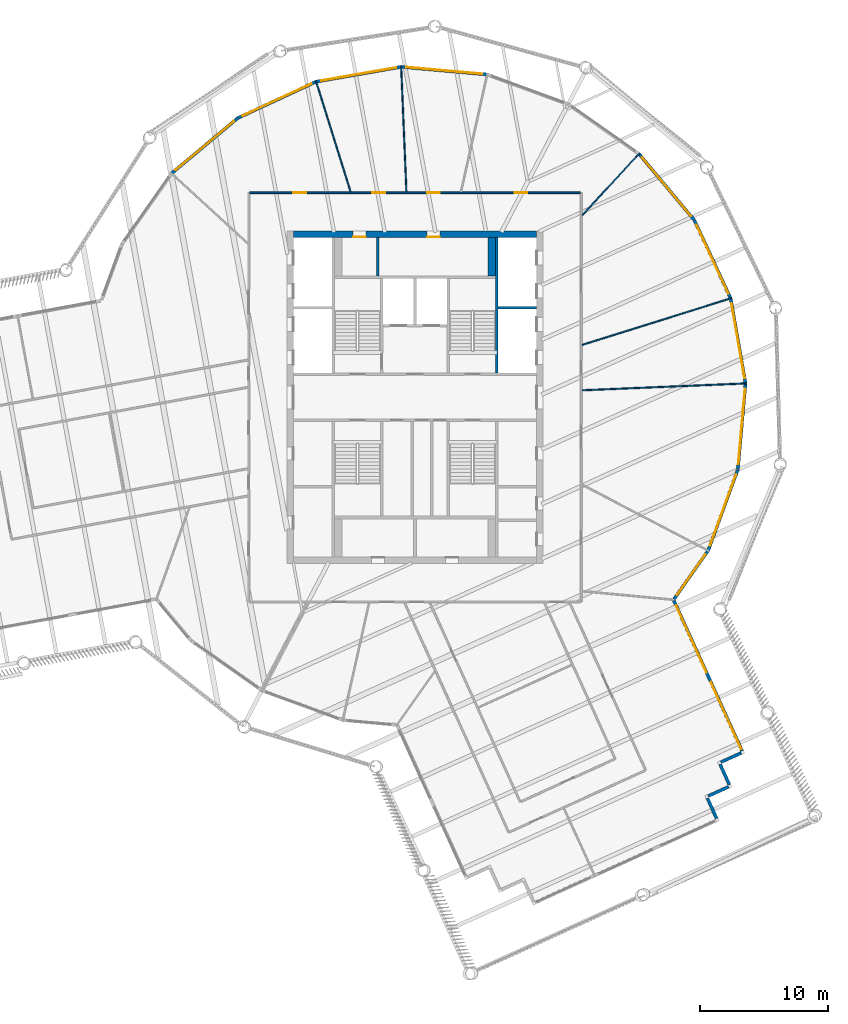
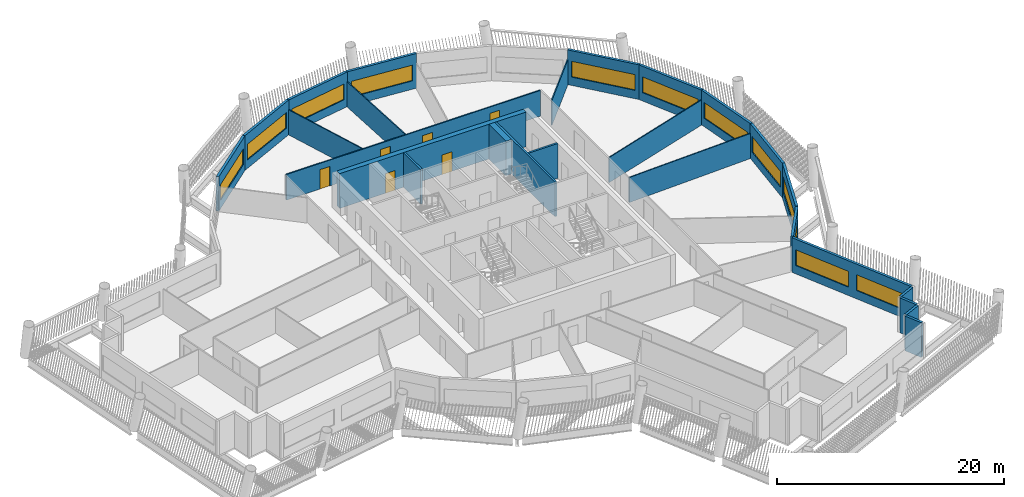
# One storey, part 6 of 15: 26 walls, 12 windows, 6 doors, 18 openings.
"""IFC4 building model written with IfcOpenShell, lengths in metres."""

from ifc_helpers import new_model, si_unit, direction, frame, frame_2d, origin, place, context, subcontext, project, spatial, rectangle, extrude, material, layer, layer_set, type_object, element, fill, save


model = new_model("IFC4")

# Units and contexts
model_context = context("Model", 3, precision=1e-05, world=origin(), true_north=direction((0.0, 1.0)))
body_context = subcontext(model_context, "Body", "Model", "MODEL_VIEW")
ifc_project = project(units=[si_unit("LENGTHUNIT", "METRE"), si_unit("AREAUNIT", "SQUARE_METRE"), si_unit("VOLUMEUNIT", "CUBIC_METRE"), si_unit("PLANEANGLEUNIT", "RADIAN"), si_unit("MASSUNIT", "GRAM", prefix="KILO")], contexts=[model_context])

# Site, building, storey
site_placement = place(None, origin())
site = spatial("IfcSite", under=ifc_project, at=site_placement, CompositionType="ELEMENT")
building_placement = place(site_placement, origin())
building = spatial("IfcBuilding", under=site, at=building_placement, Name="Tarsis Ring Headquarters", CompositionType="ELEMENT")
storey_placement = place(building_placement, frame((0.0, 0.0, 327.5)))
storey = spatial("IfcBuildingStorey", under=building, at=storey_placement, Name="L77", CompositionType="ELEMENT", Elevation=327.5)

# Wall
ifc_material_1 = material(Name="Blockwork", Category="masonry")
ifc_layer_1 = layer(ifc_material_1, 0.199951171875)
ifc_layer_set_1 = layer_set([ifc_layer_1], Name="Core blockwork wall 200")
wall_type_1 = type_object("IfcWallType", Name="Core blockwork wall 200", PredefinedType="PARTITIONING", material=ifc_layer_set_1)
wall_1_placement = place(storey_placement, frame((-2.89990234375, 9.5, 0.0), z_axis=(0.0, 0.0, 1.0), x_axis=(0.0, 1.0, 0.0)))
element("IfcWall", 1, at=wall_1_placement, inside=storey, type_object=wall_type_1, Name="Core partition ND1", PredefinedType="PARTITIONING", context=body_context, shape_type="SweptSolid", body=[
    extrude(rectangle(XDim=3.0, YDim=0.199951171875, at=frame_2d((1.5, 0.0))), origin(), (0.0, 0.0, 1.0), 3.739990234375),
])

# Wall, openings, doors
ifc_material_2 = material(Name="Concrete C50/60", Category="concrete")
ifc_layer_2 = layer(ifc_material_2, 0.5)
ifc_layer_set_2 = layer_set([ifc_layer_2], Name="Core wall 500 C50/60")
wall_type_2 = type_object("IfcWallType", Name="Core wall 500 C50/60", PredefinedType="SHEAR", material=ifc_layer_set_2)
wall_2_placement = place(storey_placement, frame((-9.5, 12.75, 0.0), z_axis=(0.0, 0.0, 1.0), x_axis=(1.0, 0.0, 0.0)))
wall_2 = element("IfcWall", 2, at=wall_2_placement, inside=storey, type_object=wall_type_2, Name="Core wall ON", PredefinedType="SHEAR", context=body_context, shape_type="SweptSolid", body=[
    extrude(rectangle(XDim=19.0, YDim=0.5, at=frame_2d((9.5, 0.0))), origin(), (0.0, 0.0, 1.0), 3.739990234375),
])
opening_1_placement = place(wall_2_placement, frame((4.64990234375, 0.0, 0.0)))
opening_1 = element("IfcOpeningElement", 3, at=opening_1_placement, cuts=wall_2, Name="Opening L77-C16", PredefinedType="OPENING", context=body_context, shape_type="SweptSolid", body=[
    extrude(rectangle(XDim=1.0, YDim=2.10009765625, at=frame_2d((0.5, 1.050048828125))), frame((0.0, 0.260009765625, 0.0), z_axis=(0.0, -1.0, 0.0), x_axis=(1.0, 0.0, 0.0)), (0.0, 0.0, 1.0), 0.52001953125),
])
opening_2_placement = place(wall_2_placement, frame((10.449951171875, 0.0, 0.0)))
opening_2 = element("IfcOpeningElement", 4, at=opening_2_placement, cuts=wall_2, Name="Opening L77-C17", PredefinedType="OPENING", context=body_context, shape_type="SweptSolid", body=[
    extrude(rectangle(XDim=1.0, YDim=2.10009765625, at=frame_2d((0.5, 1.050048828125))), frame((0.0, 0.260009765625, 0.0), z_axis=(0.0, -1.0, 0.0), x_axis=(1.0, 0.0, 0.0)), (0.0, 0.0, 1.0), 0.52001953125),
])
ifc_material_3 = material(Name="Steel S355", Category="steel")
door_type_1 = type_object("IfcDoorType", Name="Core room door 1000x2100", OperationType="SINGLE_SWING_LEFT", PredefinedType="DOOR", material=ifc_material_3)
door_1_placement = place(opening_1_placement, origin())
door_1 = element("IfcDoor", 5, at=door_1_placement, inside=storey, type_object=door_type_1, Name="Core room door L77", OperationType="SINGLE_SWING_LEFT", OverallHeight=2.10009765625, OverallWidth=1.0, PredefinedType="DOOR", context=body_context, shape_type="SweptSolid", body=[
    extrude(rectangle(XDim=1.0, YDim=2.10009765625, at=frame_2d((0.5, 1.050048828125))), frame((0.0, -0.2001953125, 0.0), z_axis=(0.0, -1.0, 0.0), x_axis=(1.0, 0.0, 0.0)), (0.0, 0.0, 1.0), 0.050048828125),
])
fill(opening_1, door_1)
door_2_placement = place(opening_2_placement, origin())
door_2 = element("IfcDoor", 6, at=door_2_placement, inside=storey, type_object=door_type_1, Name="Core room door L77", OperationType="SINGLE_SWING_LEFT", OverallHeight=2.10009765625, OverallWidth=1.0, PredefinedType="DOOR", context=body_context, shape_type="SweptSolid", body=[
    extrude(rectangle(XDim=1.0, YDim=2.10009765625, at=frame_2d((0.5, 1.050048828125))), frame((0.0, -0.2001953125, 0.0), z_axis=(0.0, -1.0, 0.0), x_axis=(1.0, 0.0, 0.0)), (0.0, 0.0, 1.0), 0.050048828125),
])
fill(opening_2, door_2)

# Walls
ifc_material_4 = material(Name="Gypsum board on steel studs", Category="steel")
ifc_layer_3 = layer(ifc_material_4, 0.10009765625)
ifc_layer_set_3 = layer_set([ifc_layer_3], Name="FL partition 100 unrated")
wall_type_3 = type_object("IfcWallType", Name="FL partition 100 unrated", PredefinedType="PARTITIONING", material=ifc_layer_set_3)
wall_3_placement = place(storey_placement, frame((13.06982421875, 0.5478515625, 0.0), z_axis=(0.0, 0.0, 1.0), x_axis=(0.999122749416, 0.041877578729, 0.0)))
element("IfcWall", 7, at=wall_3_placement, inside=storey, type_object=wall_type_3, Name="Partition PW3", PredefinedType="PARTITIONING", context=body_context, shape_type="SweptSolid", body=[
    extrude(rectangle(XDim=12.866455078125, YDim=0.10009765625, at=frame_2d((6.43310546875, 0.0))), origin(), (0.0, 0.0, 1.0), 2.699951171875),
])
wall_4_placement = place(storey_placement, frame((13.06689453125, 4.094970703125, 0.0), z_axis=(0.0, 0.0, 1.0), x_axis=(0.954240385089, 0.299040611733, 0.0)))
element("IfcWall", 8, at=wall_4_placement, inside=storey, type_object=wall_type_3, Name="Partition PW3", PredefinedType="PARTITIONING", context=body_context, shape_type="SweptSolid", body=[
    extrude(rectangle(XDim=12.25439453125, YDim=0.10009765625, at=frame_2d((6.127197265625, 0.0))), origin(), (0.0, 0.0, 1.0), 2.699951171875),
])
wall_5_placement = place(storey_placement, frame((-1.086669921875, 25.925048828125, 0.0), z_axis=(0.0, 0.0, 1.0), x_axis=(0.041878653746, -0.999122704356, 0.0)))
element("IfcWall", 9, at=wall_5_placement, inside=storey, type_object=wall_type_3, Name="Partition PW3", PredefinedType="PARTITIONING", context=body_context, shape_type="SweptSolid", body=[
    extrude(rectangle(XDim=9.86376953125, YDim=0.10009765625, at=frame_2d((4.931884765625, 0.0))), origin(), (0.0, 0.0, 1.0), 2.699951171875),
])
wall_6_placement = place(storey_placement, frame((-7.759521484375, 24.760498046875, 0.0), z_axis=(0.0, 0.0, 1.0), x_axis=(0.29906069932, -0.954234089793, 0.0)))
element("IfcWall", 10, at=wall_6_placement, inside=storey, type_object=wall_type_3, Name="Partition PW3", PredefinedType="PARTITIONING", context=body_context, shape_type="SweptSolid", body=[
    extrude(rectangle(XDim=9.110595703125, YDim=0.10009765625, at=frame_2d((4.55517578125, 0.0))), origin(), (0.0, 0.0, 1.0), 2.699951171875),
])
wall_7_placement = place(storey_placement, frame((13.087890625, 14.233154296875, 0.0), z_axis=(0.0, 0.0, 1.0), x_axis=(0.67689253135, 0.736081857542, 0.0)))
element("IfcWall", 11, at=wall_7_placement, inside=storey, type_object=wall_type_3, Name="Partition PW3", PredefinedType="PARTITIONING", context=body_context, shape_type="SweptSolid", body=[
    extrude(rectangle(XDim=6.612060546875, YDim=0.10009765625, at=frame_2d((3.30615234375, 0.0))), origin(), (0.0, 0.0, 1.0), 2.699951171875),
])

# Wall, openings, doors
ifc_layer_4 = layer(ifc_material_4, 0.125)
ifc_layer_set_4 = layer_set([ifc_layer_4], Name="FL partition 125 EI 60 H2770")
wall_type_4 = type_object("IfcWallType", Name="FL partition 125 EI 60 H2770", PredefinedType="PARTITIONING", material=ifc_layer_set_4)
wall_8_placement = place(storey_placement, frame((-12.93994140625, 16.0, 0.0), z_axis=(0.0, 0.0, 1.0), x_axis=(1.0, 0.0, 0.0)))
wall_8 = element("IfcWall", 12, at=wall_8_placement, inside=storey, type_object=wall_type_4, Name="Partition PW1", PredefinedType="PARTITIONING", context=body_context, shape_type="SweptSolid", body=[
    extrude(rectangle(XDim=25.8798828125, YDim=0.125, at=frame_2d((12.93994140625, 0.0))), origin(), (0.0, 0.0, 1.0), 2.77001953125),
])
opening_3_placement = place(wall_8_placement, frame((3.43310546875, 0.0, 0.0)))
opening_3 = element("IfcOpeningElement", 13, at=opening_3_placement, cuts=wall_8, Name="Opening D77.04", PredefinedType="OPENING", context=body_context, shape_type="SweptSolid", body=[
    extrude(rectangle(XDim=1.0, YDim=2.10009765625, at=frame_2d((0.5, 1.050048828125))), frame((0.0, 0.072509765625, 0.0), z_axis=(0.0, -1.0, 0.0), x_axis=(1.0, 0.0, 0.0)), (0.0, 0.0, 1.0), 0.14501953125),
])
opening_4_placement = place(wall_8_placement, frame((9.59765625, 0.0, 0.0)))
opening_4 = element("IfcOpeningElement", 14, at=opening_4_placement, cuts=wall_8, Name="Opening D77.05", PredefinedType="OPENING", context=body_context, shape_type="SweptSolid", body=[
    extrude(rectangle(XDim=1.0, YDim=2.10009765625, at=frame_2d((0.5, 1.050048828125))), frame((0.0, 0.072509765625, 0.0), z_axis=(0.0, -1.0, 0.0), x_axis=(1.0, 0.0, 0.0)), (0.0, 0.0, 1.0), 0.14501953125),
])
opening_5_placement = place(wall_8_placement, frame((13.892822265625, 0.0, 0.0)))
opening_5 = element("IfcOpeningElement", 15, at=opening_5_placement, cuts=wall_8, Name="Opening D77.06", PredefinedType="OPENING", context=body_context, shape_type="SweptSolid", body=[
    extrude(rectangle(XDim=1.0, YDim=2.10009765625, at=frame_2d((0.5, 1.050048828125))), frame((0.0, 0.072509765625, 0.0), z_axis=(0.0, -1.0, 0.0), x_axis=(1.0, 0.0, 0.0)), (0.0, 0.0, 1.0), 0.14501953125),
])
opening_6_placement = place(wall_8_placement, frame((20.728271484375, 0.0, 0.0)))
opening_6 = element("IfcOpeningElement", 16, at=opening_6_placement, cuts=wall_8, Name="Opening D77.07", PredefinedType="OPENING", context=body_context, shape_type="SweptSolid", body=[
    extrude(rectangle(XDim=1.0, YDim=2.10009765625, at=frame_2d((0.5, 1.050048828125))), frame((0.0, 0.072509765625, 0.0), z_axis=(0.0, -1.0, 0.0), x_axis=(1.0, 0.0, 0.0)), (0.0, 0.0, 1.0), 0.14501953125),
])
ifc_material_5 = material(Name="Fire-rated timber door leaf in steel frame", Category="steel")
door_type_2 = type_object("IfcDoorType", Name="FL door FD60-1000", OperationType="NOTDEFINED", PredefinedType="DOOR", material=ifc_material_5)
door_3_placement = place(opening_3_placement, origin())
door_3 = element("IfcDoor", 17, at=door_3_placement, inside=storey, type_object=door_type_2, Name="Door D77.04", OperationType="SINGLE_SWING_LEFT", OverallHeight=2.10009765625, OverallWidth=1.0, PredefinedType="DOOR", context=body_context, shape_type="SweptSolid", body=[
    extrude(rectangle(XDim=1.0, YDim=2.10009765625, at=frame_2d((0.5, 1.050048828125))), frame((0.0, 0.02490234375, 0.0), z_axis=(0.0, -1.0, 0.0), x_axis=(1.0, 0.0, 0.0)), (0.0, 0.0, 1.0), 0.050048828125),
])
fill(opening_3, door_3)
door_4_placement = place(opening_4_placement, origin())
door_4 = element("IfcDoor", 18, at=door_4_placement, inside=storey, type_object=door_type_2, Name="Door D77.05", OperationType="SINGLE_SWING_RIGHT", OverallHeight=2.10009765625, OverallWidth=1.0, PredefinedType="DOOR", context=body_context, shape_type="SweptSolid", body=[
    extrude(rectangle(XDim=1.0, YDim=2.10009765625, at=frame_2d((0.5, 1.050048828125))), frame((0.0, 0.02490234375, 0.0), z_axis=(0.0, -1.0, 0.0), x_axis=(1.0, 0.0, 0.0)), (0.0, 0.0, 1.0), 0.050048828125),
])
fill(opening_4, door_4)
door_5_placement = place(opening_5_placement, origin())
door_5 = element("IfcDoor", 19, at=door_5_placement, inside=storey, type_object=door_type_2, Name="Door D77.06", OperationType="SINGLE_SWING_LEFT", OverallHeight=2.10009765625, OverallWidth=1.0, PredefinedType="DOOR", context=body_context, shape_type="SweptSolid", body=[
    extrude(rectangle(XDim=1.0, YDim=2.10009765625, at=frame_2d((0.5, 1.050048828125))), frame((0.0, 0.02490234375, 0.0), z_axis=(0.0, -1.0, 0.0), x_axis=(1.0, 0.0, 0.0)), (0.0, 0.0, 1.0), 0.050048828125),
])
fill(opening_5, door_5)
door_6_placement = place(opening_6_placement, origin())
door_6 = element("IfcDoor", 20, at=door_6_placement, inside=storey, type_object=door_type_2, Name="Door D77.07", OperationType="SINGLE_SWING_RIGHT", OverallHeight=2.10009765625, OverallWidth=1.0, PredefinedType="DOOR", context=body_context, shape_type="SweptSolid", body=[
    extrude(rectangle(XDim=1.0, YDim=2.10009765625, at=frame_2d((0.5, 1.050048828125))), frame((0.0, 0.02490234375, 0.0), z_axis=(0.0, -1.0, 0.0), x_axis=(1.0, 0.0, 0.0)), (0.0, 0.0, 1.0), 0.050048828125),
])
fill(opening_6, door_6)

# Walls
ifc_material_6 = material(Name="Terracotta clad insulated panel wall", Category="masonry")
ifc_layer_5 = layer(ifc_material_6, 0.25)
ifc_layer_set_5 = layer_set([ifc_layer_5], Name="Facade wall terracotta panel 250")
wall_type_5 = type_object("IfcWallType", Name="Facade wall terracotta panel 250", PredefinedType="STANDARD", material=ifc_layer_set_5)
wall_9_placement = place(storey_placement, frame((23.592529296875, -32.946533203125, 0.0), z_axis=(0.0, 0.0, 1.0), x_axis=(-0.413077572358, 0.910695843416, 0.0)))
element("IfcWall", 21, at=wall_9_placement, inside=storey, type_object=wall_type_5, Name="External wall L77-12", PredefinedType="STANDARD", context=body_context, shape_type="SweptSolid", body=[
    extrude(rectangle(XDim=1.75, YDim=0.25, at=frame_2d((0.875, 0.0))), origin(), (0.0, 0.0, 1.0), 3.739990234375),
])
for number, where, z_axis, x_axis, name in (
    (22, (22.931884765625, -31.187255859375, 0.0), (0.0, 0.0, 1.0), (0.910672034522, 0.413130058866, 0.0), "External wall L77-13"),
    (23, (24.587646484375, -30.298828125, 0.0), (0.0, 0.0, 1.0), (-0.413130058866, 0.910672034522, 0.0), "External wall L77-14"),
):
    element("IfcWall", number, at=place(storey_placement, frame(where, z_axis=z_axis, x_axis=x_axis)), inside=storey, type_object=wall_type_5, Name=name, PredefinedType="STANDARD", context=body_context, shape_type="SweptSolid", body=[
        extrude(rectangle(XDim=1.749755859375, YDim=0.25, at=frame_2d((0.875, 0.0))), origin(), (0.0, 0.0, 1.0), 3.739990234375),
    ])
wall_10_placement = place(storey_placement, frame((23.927001953125, -28.539794921875, 0.0), z_axis=(0.0, 0.0, 1.0), x_axis=(0.910695843416, 0.413077572358, 0.0)))
element("IfcWall", 24, at=wall_10_placement, inside=storey, type_object=wall_type_5, Name="External wall L77-15", PredefinedType="STANDARD", context=body_context, shape_type="SweptSolid", body=[
    extrude(rectangle(XDim=1.75, YDim=0.25, at=frame_2d((0.875, 0.0))), origin(), (0.0, 0.0, 1.0), 3.739990234375),
])

# Wall, openings, windows
wall_11_placement = place(storey_placement, frame((25.582763671875, -27.6513671875, 0.0), z_axis=(0.0, 0.0, 1.0), x_axis=(-0.413104201214, 0.910683764509, 0.0)))
wall_11 = element("IfcWall", 25, at=wall_11_placement, inside=storey, type_object=wall_type_5, Name="External wall L77-16", PredefinedType="STANDARD", context=body_context, shape_type="SweptSolid", body=[
    extrude(rectangle(XDim=12.9013671875, YDim=0.25, at=frame_2d((6.45068359375, 0.0))), origin(), (0.0, 0.0, 1.0), 3.739990234375),
])
opening_7_placement = place(wall_11_placement, frame((0.162841796875, 0.0, 0.89990234375)))
opening_7 = element("IfcOpeningElement", 26, at=opening_7_placement, cuts=wall_11, Name="Opening WN06", PredefinedType="OPENING", context=body_context, shape_type="SweptSolid", body=[
    extrude(rectangle(XDim=5.75, YDim=1.699951171875, at=frame_2d((2.875, 0.85009765625))), frame((0.0, 0.135009765625, 0.0), z_axis=(0.0, -1.0, 0.0), x_axis=(1.0, 0.0, 0.0)), (0.0, 0.0, 1.0), 0.27001953125),
])
opening_8_placement = place(wall_11_placement, frame((6.738525390625, 0.0, 0.89990234375)))
opening_8 = element("IfcOpeningElement", 27, at=opening_8_placement, cuts=wall_11, Name="Opening WN06", PredefinedType="OPENING", context=body_context, shape_type="SweptSolid", body=[
    extrude(rectangle(XDim=5.75, YDim=1.699951171875, at=frame_2d((2.875, 0.85009765625))), frame((0.0, 0.135009765625, 0.0), z_axis=(0.0, -1.0, 0.0), x_axis=(1.0, 0.0, 0.0)), (0.0, 0.0, 1.0), 0.27001953125),
])
ifc_material_7 = material(Name="Aluminium framed double glazing", Category="aluminium")
window_type_1 = type_object("IfcWindowType", Name="Facade window 5750 x 1700", PartitioningType="SINGLE_PANEL", PredefinedType="WINDOW", material=ifc_material_7)
window_1_placement = place(opening_7_placement, origin())
window_1 = element("IfcWindow", 28, at=window_1_placement, inside=storey, type_object=window_type_1, Name="Window L77-16.1", OverallHeight=1.699951171875, OverallWidth=5.75, PartitioningType="SINGLE_PANEL", PredefinedType="WINDOW", context=body_context, shape_type="SweptSolid", body=[
    extrude(rectangle(XDim=5.75, YDim=1.699951171875, at=frame_2d((2.875, 0.85009765625))), frame((0.0, 0.030029296875, 0.0), z_axis=(0.0, -1.0, 0.0), x_axis=(1.0, 0.0, 0.0)), (0.0, 0.0, 1.0), 0.06005859375),
])
fill(opening_7, window_1)
window_2_placement = place(opening_8_placement, origin())
window_2 = element("IfcWindow", 29, at=window_2_placement, inside=storey, type_object=window_type_1, Name="Window L77-16.2", OverallHeight=1.699951171875, OverallWidth=5.75, PartitioningType="SINGLE_PANEL", PredefinedType="WINDOW", context=body_context, shape_type="SweptSolid", body=[
    extrude(rectangle(XDim=5.75, YDim=1.699951171875, at=frame_2d((2.875, 0.85009765625))), frame((0.0, 0.030029296875, 0.0), z_axis=(0.0, -1.0, 0.0), x_axis=(1.0, 0.0, 0.0)), (0.0, 0.0, 1.0), 0.06005859375),
])
fill(opening_8, window_2)

# Wall, opening, window
wall_12_placement = place(storey_placement, frame((20.264892578125, -15.77880859375, 0.0), z_axis=(0.0, 0.0, 1.0), x_axis=(0.575004821715, 0.818150019864, 0.0)))
wall_12 = element("IfcWall", 30, at=wall_12_placement, inside=storey, type_object=wall_type_5, Name="External wall L77-17", PredefinedType="STANDARD", context=body_context, shape_type="SweptSolid", body=[
    extrude(rectangle(XDim=4.617919921875, YDim=0.25, at=frame_2d((2.30908203125, 0.0))), origin(), (0.0, 0.0, 1.0), 3.739990234375),
])
opening_9_placement = place(wall_12_placement, frame((0.400390625, 0.0, 0.89990234375)))
opening_9 = element("IfcOpeningElement", 31, at=opening_9_placement, cuts=wall_12, Name="Opening WN02", PredefinedType="OPENING", context=body_context, shape_type="SweptSolid", body=[
    extrude(rectangle(XDim=3.85009765625, YDim=1.699951171875, at=frame_2d((1.925048828125, 0.85009765625))), frame((0.0, 0.135009765625, 0.0), z_axis=(0.0, -1.0, 0.0), x_axis=(1.0, 0.0, 0.0)), (0.0, 0.0, 1.0), 0.27001953125),
])
window_type_2 = type_object("IfcWindowType", Name="Facade window 3850 x 1700", PartitioningType="SINGLE_PANEL", PredefinedType="WINDOW", material=ifc_material_7)
window_3_placement = place(opening_9_placement, origin())
window_3 = element("IfcWindow", 32, at=window_3_placement, inside=storey, type_object=window_type_2, Name="Window L77-17.1", OverallHeight=1.699951171875, OverallWidth=3.85009765625, PartitioningType="SINGLE_PANEL", PredefinedType="WINDOW", context=body_context, shape_type="SweptSolid", body=[
    extrude(rectangle(XDim=3.85009765625, YDim=1.699951171875, at=frame_2d((1.925048828125, 0.85009765625))), frame((0.0, 0.030029296875, 0.0), z_axis=(0.0, -1.0, 0.0), x_axis=(1.0, 0.0, 0.0)), (0.0, 0.0, 1.0), 0.06005859375),
])
fill(opening_9, window_3)

wall_13_placement = place(storey_placement, frame((22.935302734375, -11.971923828125, 0.0), z_axis=(0.0, 0.0, 1.0), x_axis=(0.343640910875, 0.939101125744, 0.0)))
wall_13 = element("IfcWall", 33, at=wall_13_placement, inside=storey, type_object=wall_type_5, Name="External wall L77-18", PredefinedType="STANDARD", context=body_context, shape_type="SweptSolid", body=[
    extrude(rectangle(XDim=6.7216796875, YDim=0.25, at=frame_2d((3.36083984375, 0.0))), origin(), (0.0, 0.0, 1.0), 3.739990234375),
])
opening_10_placement = place(wall_13_placement, frame((0.3857421875, 0.0, 0.89990234375)))
opening_10 = element("IfcOpeningElement", 34, at=opening_10_placement, cuts=wall_13, Name="Opening WN07", PredefinedType="OPENING", context=body_context, shape_type="SweptSolid", body=[
    extrude(rectangle(XDim=5.949951171875, YDim=1.699951171875, at=frame_2d((2.97509765625, 0.85009765625))), frame((0.0, 0.135009765625, 0.0), z_axis=(0.0, -1.0, 0.0), x_axis=(1.0, 0.0, 0.0)), (0.0, 0.0, 1.0), 0.27001953125),
])
window_type_3 = type_object("IfcWindowType", Name="Facade window 5950 x 1700", PartitioningType="SINGLE_PANEL", PredefinedType="WINDOW", material=ifc_material_7)
window_4_placement = place(opening_10_placement, origin())
window_4 = element("IfcWindow", 35, at=window_4_placement, inside=storey, type_object=window_type_3, Name="Window L77-18.1", OverallHeight=1.699951171875, OverallWidth=5.949951171875, PartitioningType="SINGLE_PANEL", PredefinedType="WINDOW", context=body_context, shape_type="SweptSolid", body=[
    extrude(rectangle(XDim=5.949951171875, YDim=1.699951171875, at=frame_2d((2.97509765625, 0.85009765625))), frame((0.0, 0.030029296875, 0.0), z_axis=(0.0, -1.0, 0.0), x_axis=(1.0, 0.0, 0.0)), (0.0, 0.0, 1.0), 0.06005859375),
])
fill(opening_10, window_4)

wall_14_placement = place(storey_placement, frame((25.252197265625, -5.6279296875, 0.0), z_axis=(0.0, 0.0, 1.0), x_axis=(0.088914564402, 0.996039256374, 0.0)))
wall_14 = element("IfcWall", 36, at=wall_14_placement, inside=storey, type_object=wall_type_5, Name="External wall L77-19", PredefinedType="STANDARD", context=body_context, shape_type="SweptSolid", body=[
    extrude(rectangle(XDim=6.7216796875, YDim=0.25, at=frame_2d((3.36083984375, 0.0))), origin(), (0.0, 0.0, 1.0), 3.739990234375),
])
opening_11_placement = place(wall_14_placement, frame((0.3857421875, 0.0, 0.89990234375)))
opening_11 = element("IfcOpeningElement", 37, at=opening_11_placement, cuts=wall_14, Name="Opening WN07", PredefinedType="OPENING", context=body_context, shape_type="SweptSolid", body=[
    extrude(rectangle(XDim=5.949951171875, YDim=1.699951171875, at=frame_2d((2.97509765625, 0.85009765625))), frame((0.0, 0.135009765625, 0.0), z_axis=(0.0, -1.0, 0.0), x_axis=(1.0, 0.0, 0.0)), (0.0, 0.0, 1.0), 0.27001953125),
])
window_5_placement = place(opening_11_placement, origin())
window_5 = element("IfcWindow", 38, at=window_5_placement, inside=storey, type_object=window_type_3, Name="Window L77-19.1", OverallHeight=1.699951171875, OverallWidth=5.949951171875, PartitioningType="SINGLE_PANEL", PredefinedType="WINDOW", context=body_context, shape_type="SweptSolid", body=[
    extrude(rectangle(XDim=5.949951171875, YDim=1.699951171875, at=frame_2d((2.97509765625, 0.85009765625))), frame((0.0, 0.030029296875, 0.0), z_axis=(0.0, -1.0, 0.0), x_axis=(1.0, 0.0, 0.0)), (0.0, 0.0, 1.0), 0.06005859375),
])
fill(opening_11, window_5)

wall_15_placement = place(storey_placement, frame((25.848388671875, 1.099609375, 0.0), z_axis=(0.0, 0.0, 1.0), x_axis=(-0.171909828159, 0.985112689484, 0.0)))
wall_15 = element("IfcWall", 39, at=wall_15_placement, inside=storey, type_object=wall_type_5, Name="External wall L77-20", PredefinedType="STANDARD", context=body_context, shape_type="SweptSolid", body=[
    extrude(rectangle(XDim=6.7216796875, YDim=0.25, at=frame_2d((3.36083984375, 0.0))), origin(), (0.0, 0.0, 1.0), 3.739990234375),
])
opening_12_placement = place(wall_15_placement, frame((0.3857421875, 0.0, 0.89990234375)))
opening_12 = element("IfcOpeningElement", 40, at=opening_12_placement, cuts=wall_15, Name="Opening WN07", PredefinedType="OPENING", context=body_context, shape_type="SweptSolid", body=[
    extrude(rectangle(XDim=5.949951171875, YDim=1.699951171875, at=frame_2d((2.97509765625, 0.85009765625))), frame((0.0, 0.135009765625, 0.0), z_axis=(0.0, -1.0, 0.0), x_axis=(1.0, 0.0, 0.0)), (0.0, 0.0, 1.0), 0.27001953125),
])
window_6_placement = place(opening_12_placement, origin())
window_6 = element("IfcWindow", 41, at=window_6_placement, inside=storey, type_object=window_type_3, Name="Window L77-20.1", OverallHeight=1.699951171875, OverallWidth=5.949951171875, PartitioningType="SINGLE_PANEL", PredefinedType="WINDOW", context=body_context, shape_type="SweptSolid", body=[
    extrude(rectangle(XDim=5.949951171875, YDim=1.699951171875, at=frame_2d((2.97509765625, 0.85009765625))), frame((0.0, 0.030029296875, 0.0), z_axis=(0.0, -1.0, 0.0), x_axis=(1.0, 0.0, 0.0)), (0.0, 0.0, 1.0), 0.06005859375),
])
fill(opening_12, window_6)

wall_16_placement = place(storey_placement, frame((24.68310546875, 7.752197265625, 0.0), z_axis=(0.0, 0.0, 1.0), x_axis=(-0.421033403338, 0.907045132986, 0.0)))
wall_16 = element("IfcWall", 42, at=wall_16_placement, inside=storey, type_object=wall_type_5, Name="External wall L77-21", PredefinedType="STANDARD", context=body_context, shape_type="SweptSolid", body=[
    extrude(rectangle(XDim=6.7216796875, YDim=0.25, at=frame_2d((3.36083984375, 0.0))), origin(), (0.0, 0.0, 1.0), 3.739990234375),
])
opening_13_placement = place(wall_16_placement, frame((0.3857421875, 0.0, 0.89990234375)))
opening_13 = element("IfcOpeningElement", 43, at=opening_13_placement, cuts=wall_16, Name="Opening WN07", PredefinedType="OPENING", context=body_context, shape_type="SweptSolid", body=[
    extrude(rectangle(XDim=5.949951171875, YDim=1.699951171875, at=frame_2d((2.97509765625, 0.85009765625))), frame((0.0, 0.135009765625, 0.0), z_axis=(0.0, -1.0, 0.0), x_axis=(1.0, 0.0, 0.0)), (0.0, 0.0, 1.0), 0.27001953125),
])
window_7_placement = place(opening_13_placement, origin())
window_7 = element("IfcWindow", 44, at=window_7_placement, inside=storey, type_object=window_type_3, Name="Window L77-21.1", OverallHeight=1.699951171875, OverallWidth=5.949951171875, PartitioningType="SINGLE_PANEL", PredefinedType="WINDOW", context=body_context, shape_type="SweptSolid", body=[
    extrude(rectangle(XDim=5.949951171875, YDim=1.699951171875, at=frame_2d((2.97509765625, 0.85009765625))), frame((0.0, 0.030029296875, 0.0), z_axis=(0.0, -1.0, 0.0), x_axis=(1.0, 0.0, 0.0)), (0.0, 0.0, 1.0), 0.06005859375),
])
fill(opening_13, window_7)

wall_17_placement = place(storey_placement, frame((21.83544921875, 13.87646484375, 0.0), z_axis=(0.0, 0.0, 1.0), x_axis=(-0.641433956666, 0.767178257797, 0.0)))
wall_17 = element("IfcWall", 45, at=wall_17_placement, inside=storey, type_object=wall_type_5, Name="External wall L77-22", PredefinedType="STANDARD", context=body_context, shape_type="SweptSolid", body=[
    extrude(rectangle(XDim=6.7216796875, YDim=0.25, at=frame_2d((3.36083984375, 0.0))), origin(), (0.0, 0.0, 1.0), 3.739990234375),
])
opening_14_placement = place(wall_17_placement, frame((0.3857421875, 0.0, 0.89990234375)))
opening_14 = element("IfcOpeningElement", 46, at=opening_14_placement, cuts=wall_17, Name="Opening WN07", PredefinedType="OPENING", context=body_context, shape_type="SweptSolid", body=[
    extrude(rectangle(XDim=5.949951171875, YDim=1.699951171875, at=frame_2d((2.97509765625, 0.85009765625))), frame((0.0, 0.135009765625, 0.0), z_axis=(0.0, -1.0, 0.0), x_axis=(1.0, 0.0, 0.0)), (0.0, 0.0, 1.0), 0.27001953125),
])
window_8_placement = place(opening_14_placement, origin())
window_8 = element("IfcWindow", 47, at=window_8_placement, inside=storey, type_object=window_type_3, Name="Window L77-22.1", OverallHeight=1.699951171875, OverallWidth=5.949951171875, PartitioningType="SINGLE_PANEL", PredefinedType="WINDOW", context=body_context, shape_type="SweptSolid", body=[
    extrude(rectangle(XDim=5.949951171875, YDim=1.699951171875, at=frame_2d((2.97509765625, 0.85009765625))), frame((0.0, 0.030029296875, 0.0), z_axis=(0.0, -1.0, 0.0), x_axis=(1.0, 0.0, 0.0)), (0.0, 0.0, 1.0), 0.06005859375),
])
fill(opening_14, window_8)

wall_18_placement = place(storey_placement, frame((5.6279296875, 25.252197265625, 0.0), z_axis=(0.0, 0.0, 1.0), x_axis=(-0.996039256374, 0.088914564402, 0.0)))
wall_18 = element("IfcWall", 48, at=wall_18_placement, inside=storey, type_object=wall_type_5, Name="External wall L77-25", PredefinedType="STANDARD", context=body_context, shape_type="SweptSolid", body=[
    extrude(rectangle(XDim=6.7216796875, YDim=0.25, at=frame_2d((3.36083984375, 0.0))), origin(), (0.0, 0.0, 1.0), 3.739990234375),
])
opening_15_placement = place(wall_18_placement, frame((0.3857421875, 0.0, 0.89990234375)))
opening_15 = element("IfcOpeningElement", 49, at=opening_15_placement, cuts=wall_18, Name="Opening WN07", PredefinedType="OPENING", context=body_context, shape_type="SweptSolid", body=[
    extrude(rectangle(XDim=5.949951171875, YDim=1.699951171875, at=frame_2d((2.97509765625, 0.85009765625))), frame((0.0, 0.135009765625, 0.0), z_axis=(0.0, -1.0, 0.0), x_axis=(1.0, 0.0, 0.0)), (0.0, 0.0, 1.0), 0.27001953125),
])
window_9_placement = place(opening_15_placement, origin())
window_9 = element("IfcWindow", 50, at=window_9_placement, inside=storey, type_object=window_type_3, Name="Window L77-25.1", OverallHeight=1.699951171875, OverallWidth=5.949951171875, PartitioningType="SINGLE_PANEL", PredefinedType="WINDOW", context=body_context, shape_type="SweptSolid", body=[
    extrude(rectangle(XDim=5.949951171875, YDim=1.699951171875, at=frame_2d((2.97509765625, 0.85009765625))), frame((0.0, 0.030029296875, 0.0), z_axis=(0.0, -1.0, 0.0), x_axis=(1.0, 0.0, 0.0)), (0.0, 0.0, 1.0), 0.06005859375),
])
fill(opening_15, window_9)

wall_19_placement = place(storey_placement, frame((-1.099609375, 25.848388671875, 0.0), z_axis=(0.0, 0.0, 1.0), x_axis=(-0.985112689484, -0.171909828159, 0.0)))
wall_19 = element("IfcWall", 51, at=wall_19_placement, inside=storey, type_object=wall_type_5, Name="External wall L77-26", PredefinedType="STANDARD", context=body_context, shape_type="SweptSolid", body=[
    extrude(rectangle(XDim=6.7216796875, YDim=0.25, at=frame_2d((3.36083984375, 0.0))), origin(), (0.0, 0.0, 1.0), 3.739990234375),
])
opening_16_placement = place(wall_19_placement, frame((0.3857421875, 0.0, 0.89990234375)))
opening_16 = element("IfcOpeningElement", 52, at=opening_16_placement, cuts=wall_19, Name="Opening WN07", PredefinedType="OPENING", context=body_context, shape_type="SweptSolid", body=[
    extrude(rectangle(XDim=5.949951171875, YDim=1.699951171875, at=frame_2d((2.97509765625, 0.85009765625))), frame((0.0, 0.135009765625, 0.0), z_axis=(0.0, -1.0, 0.0), x_axis=(1.0, 0.0, 0.0)), (0.0, 0.0, 1.0), 0.27001953125),
])
window_10_placement = place(opening_16_placement, origin())
window_10 = element("IfcWindow", 53, at=window_10_placement, inside=storey, type_object=window_type_3, Name="Window L77-26.1", OverallHeight=1.699951171875, OverallWidth=5.949951171875, PartitioningType="SINGLE_PANEL", PredefinedType="WINDOW", context=body_context, shape_type="SweptSolid", body=[
    extrude(rectangle(XDim=5.949951171875, YDim=1.699951171875, at=frame_2d((2.97509765625, 0.85009765625))), frame((0.0, 0.030029296875, 0.0), z_axis=(0.0, -1.0, 0.0), x_axis=(1.0, 0.0, 0.0)), (0.0, 0.0, 1.0), 0.06005859375),
])
fill(opening_16, window_10)

wall_20_placement = place(storey_placement, frame((-7.752197265625, 24.68310546875, 0.0), z_axis=(0.0, 0.0, 1.0), x_axis=(-0.907045132986, -0.421033403338, 0.0)))
wall_20 = element("IfcWall", 54, at=wall_20_placement, inside=storey, type_object=wall_type_5, Name="External wall L77-27", PredefinedType="STANDARD", context=body_context, shape_type="SweptSolid", body=[
    extrude(rectangle(XDim=6.7216796875, YDim=0.25, at=frame_2d((3.36083984375, 0.0))), origin(), (0.0, 0.0, 1.0), 3.739990234375),
])
opening_17_placement = place(wall_20_placement, frame((0.3857421875, 0.0, 0.89990234375)))
opening_17 = element("IfcOpeningElement", 55, at=opening_17_placement, cuts=wall_20, Name="Opening WN07", PredefinedType="OPENING", context=body_context, shape_type="SweptSolid", body=[
    extrude(rectangle(XDim=5.949951171875, YDim=1.699951171875, at=frame_2d((2.97509765625, 0.85009765625))), frame((0.0, 0.135009765625, 0.0), z_axis=(0.0, -1.0, 0.0), x_axis=(1.0, 0.0, 0.0)), (0.0, 0.0, 1.0), 0.27001953125),
])
window_11_placement = place(opening_17_placement, origin())
window_11 = element("IfcWindow", 56, at=window_11_placement, inside=storey, type_object=window_type_3, Name="Window L77-27.1", OverallHeight=1.699951171875, OverallWidth=5.949951171875, PartitioningType="SINGLE_PANEL", PredefinedType="WINDOW", context=body_context, shape_type="SweptSolid", body=[
    extrude(rectangle(XDim=5.949951171875, YDim=1.699951171875, at=frame_2d((2.97509765625, 0.85009765625))), frame((0.0, 0.030029296875, 0.0), z_axis=(0.0, -1.0, 0.0), x_axis=(1.0, 0.0, 0.0)), (0.0, 0.0, 1.0), 0.06005859375),
])
fill(opening_17, window_11)

wall_21_placement = place(storey_placement, frame((-13.87646484375, 21.83544921875, 0.0), z_axis=(0.0, 0.0, 1.0), x_axis=(-0.767178257797, -0.641433956666, 0.0)))
wall_21 = element("IfcWall", 57, at=wall_21_placement, inside=storey, type_object=wall_type_5, Name="External wall L77-28", PredefinedType="STANDARD", context=body_context, shape_type="SweptSolid", body=[
    extrude(rectangle(XDim=6.7216796875, YDim=0.25, at=frame_2d((3.36083984375, 0.0))), origin(), (0.0, 0.0, 1.0), 3.739990234375),
])
opening_18_placement = place(wall_21_placement, frame((0.3857421875, 0.0, 0.89990234375)))
opening_18 = element("IfcOpeningElement", 58, at=opening_18_placement, cuts=wall_21, Name="Opening WN07", PredefinedType="OPENING", context=body_context, shape_type="SweptSolid", body=[
    extrude(rectangle(XDim=5.949951171875, YDim=1.699951171875, at=frame_2d((2.97509765625, 0.85009765625))), frame((0.0, 0.135009765625, 0.0), z_axis=(0.0, -1.0, 0.0), x_axis=(1.0, 0.0, 0.0)), (0.0, 0.0, 1.0), 0.27001953125),
])
window_12_placement = place(opening_18_placement, origin())
window_12 = element("IfcWindow", 59, at=window_12_placement, inside=storey, type_object=window_type_3, Name="Window L77-28.1", OverallHeight=1.699951171875, OverallWidth=5.949951171875, PartitioningType="SINGLE_PANEL", PredefinedType="WINDOW", context=body_context, shape_type="SweptSolid", body=[
    extrude(rectangle(XDim=5.949951171875, YDim=1.699951171875, at=frame_2d((2.97509765625, 0.85009765625))), frame((0.0, 0.030029296875, 0.0), z_axis=(0.0, -1.0, 0.0), x_axis=(1.0, 0.0, 0.0)), (0.0, 0.0, 1.0), 0.06005859375),
])
fill(opening_18, window_12)

# Walls
ifc_material_8 = material(Name="Concrete C32/40", Category="concrete")
ifc_layer_6 = layer(ifc_material_8, 0.60009765625)
ifc_layer_set_6 = layer_set([ifc_layer_6], Name="Shaft end wall 600 C32/40")
wall_type_6 = type_object("IfcWallType", Name="Shaft end wall 600 C32/40", PredefinedType="SOLIDWALL", material=ifc_layer_set_6)
wall_22_placement = place(storey_placement, frame((6.0, 9.5, 0.0), z_axis=(0.0, 0.0, 1.0), x_axis=(0.0, 1.0, 0.0)))
element("IfcWall", 60, at=wall_22_placement, inside=storey, type_object=wall_type_6, Name="Core shaft wall NNE2", PredefinedType="SOLIDWALL", context=body_context, shape_type="SweptSolid", body=[
    extrude(rectangle(XDim=3.0, YDim=0.60009765625, at=frame_2d((1.5, 0.0))), origin(), (0.0, 0.0, 1.0), 3.739990234375),
])
ifc_layer_7 = layer(ifc_material_8, 0.199951171875)
ifc_layer_set_7 = layer_set([ifc_layer_7], Name="Shaft wall 200 C32/40")
wall_type_7 = type_object("IfcWallType", Name="Shaft wall 200 C32/40", PredefinedType="SOLIDWALL", material=ifc_layer_set_7)
wall_23_placement = place(storey_placement, frame((6.39990234375, 1.89990234375, 0.0), z_axis=(0.0, 0.0, 1.0), x_axis=(0.0, 1.0, 0.0)))
element("IfcWall", 61, at=wall_23_placement, inside=storey, type_object=wall_type_7, Name="Core shaft wall EB2", PredefinedType="SOLIDWALL", context=body_context, shape_type="SweptSolid", body=[
    extrude(rectangle(XDim=10.60009765625, YDim=0.199951171875, at=frame_2d((5.300048828125, 0.0))), origin(), (0.0, 0.0, 1.0), 3.739990234375),
])
wall_24_placement = place(storey_placement, frame((6.5, 7.0, 0.0), z_axis=(0.0, 0.0, 1.0), x_axis=(1.0, 0.0, 0.0)))
element("IfcWall", 62, at=wall_24_placement, inside=storey, type_object=wall_type_7, Name="Core shaft wall ED6", PredefinedType="SOLIDWALL", context=body_context, shape_type="SweptSolid", body=[
    extrude(rectangle(XDim=3.0, YDim=0.199951171875, at=frame_2d((1.5, 0.0))), origin(), (0.0, 0.0, 1.0), 3.739990234375),
])

save(model, "model.ifc")
